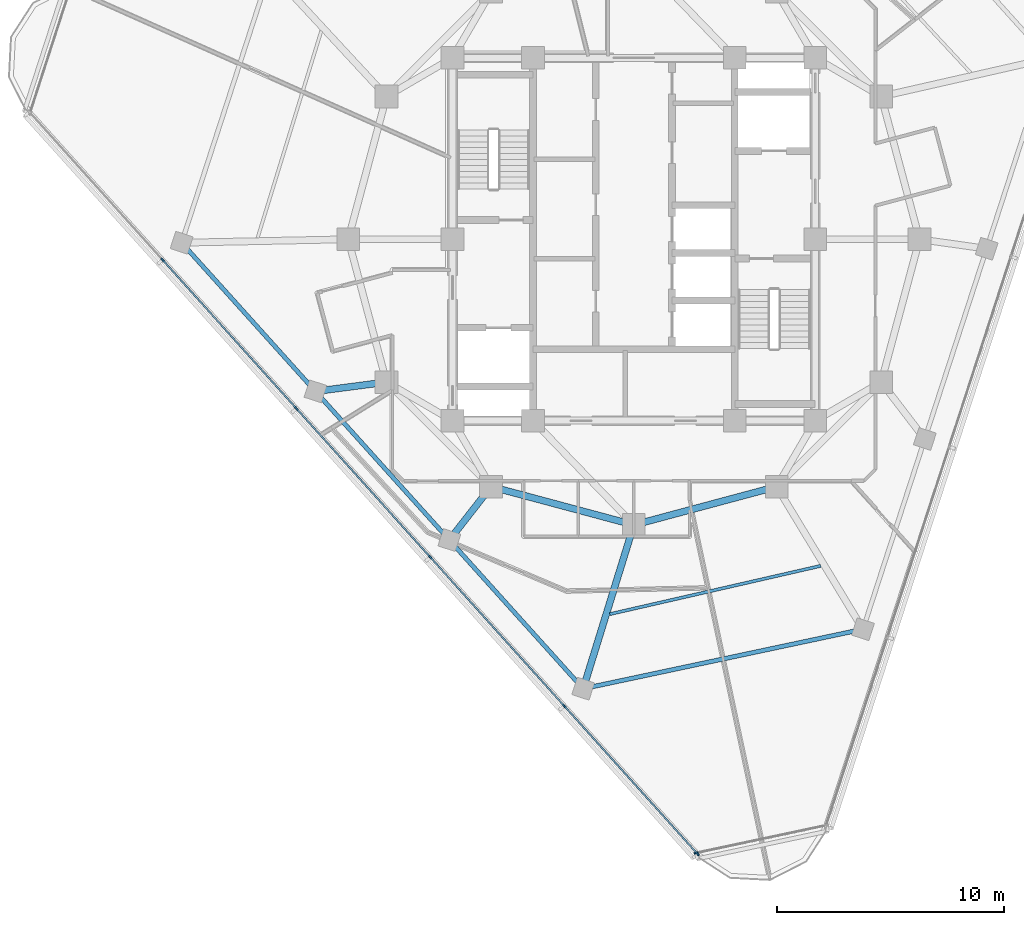
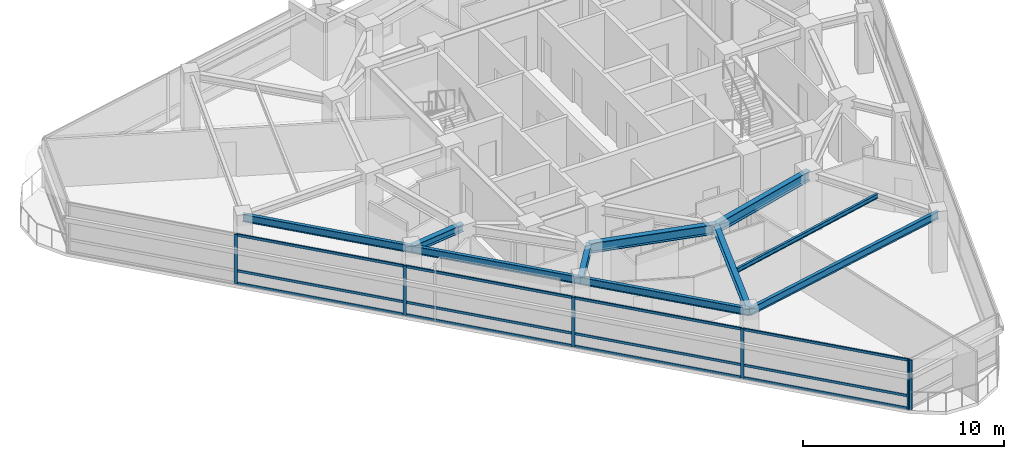
# One storey, part 2 of 15: 18 members, 10 beams, 2 elements without a shape of their own.
"""IFC4 building model written with IfcOpenShell, lengths in metres."""

from ifc_helpers import new_model, si_unit, direction, frame, origin, origin_2d, place, context, subcontext, project, spatial, rectangle, i_section, extrude, material, layer, layer_set, material_profile, profile_set, type_object, element, aggregate, save


model = new_model("IFC4")

# Units and contexts
model_context = context("Model", 3, precision=1e-05, world=origin(), true_north=direction((0.0, 1.0)))
body_context = subcontext(model_context, "Body", "Model", "MODEL_VIEW")
ifc_project = project(units=[si_unit("LENGTHUNIT", "METRE"), si_unit("AREAUNIT", "SQUARE_METRE"), si_unit("VOLUMEUNIT", "CUBIC_METRE"), si_unit("PLANEANGLEUNIT", "RADIAN"), si_unit("MASSUNIT", "GRAM", prefix="KILO")], contexts=[model_context])

# Site, building, storey
site_placement = place(None, origin())
site = spatial("IfcSite", under=ifc_project, at=site_placement, CompositionType="ELEMENT")
building_placement = place(site_placement, origin())
building = spatial("IfcBuilding", under=site, at=building_placement, Name="Terralouvre Media Tower", CompositionType="ELEMENT")
storey_placement = place(building_placement, frame((0.0, 0.0, 290.60009765625)))
storey = spatial("IfcBuildingStorey", under=building, at=storey_placement, Name="L75", CompositionType="ELEMENT", Elevation=290.60009765625)

# Beam
ifc_material_1 = material(Name="Structural steel S355J2", Category="steel")
ifc_material_profile_1 = material_profile(ifc_material_1, i_section(OverallWidth=0.135009765625, OverallDepth=0.27001953125, WebThickness=0.006591796875, FlangeThickness=0.01025390625, at=origin_2d()), Name="IPE 270")
ifc_profile_set_1 = profile_set([ifc_material_profile_1], Name="Structural steel S355J2")
beam_type_1 = type_object("IfcBeamType", Name="Composite Floor Joist J-IPE270 (IPE 270)", PredefinedType="JOIST", material=ifc_profile_set_1)
beam_1_placement = place(storey_placement, frame((-1.062744140625, -16.534912109375, 3.364990234375), z_axis=(0.974794010314, 0.223106784873, 0.0), x_axis=(-0.223106784873, 0.974794010314, 0.0)))
element("IfcBeam", 1, at=beam_1_placement, inside=storey, type_object=beam_type_1, Name="L75 Framing Beam JT-L75-02", PredefinedType="JOIST", context=body_context, shape_type="SweptSolid", body=[
    extrude(i_section(OverallWidth=0.135009765625, OverallDepth=0.27001953125, WebThickness=0.006591796875, FlangeThickness=0.01025390625, at=origin_2d()), origin(), (0.0, 0.0, 1.0), 9.544189453125),
])

# Curtain wall, members
ifc_material_2 = material(Name="Low-iron laminated double glazing with solar-control coating", Category="glass")
ifc_layer_1 = layer(ifc_material_2, 0.1650390625, Name="Faceted Glass-Point Crown Curtain Wall CW-06")
ifc_layer_set_1 = layer_set([ifc_layer_1], Name="Low-iron laminated double glazing with solar-control coating")
curtain_wall_type_1 = type_object("IfcCurtainWallType", Name="Faceted Glass-Point Crown Curtain Wall CW-06", PredefinedType="NOTDEFINED", material=ifc_layer_set_1)
curtain_wall_1_placement = place(storey_placement, origin())
curtain_wall_1 = element("IfcCurtainWall", 2, at=curtain_wall_1_placement, inside=storey, type_object=curtain_wall_type_1, Name="L75 Facade Curtain Wall F2", PredefinedType="NOTDEFINED")
ifc_material_3 = material(Name="Anodised extruded aluminium 6063-T6", Category="aluminium")
ifc_material_profile_2 = material_profile(ifc_material_3, rectangle(XDim=0.074951171875, YDim=0.14990234375, at=origin_2d()), Name="ALU 75x150")
ifc_profile_set_2 = profile_set([ifc_material_profile_2], Name="Anodised extruded aluminium 6063-T6")
member_type_1 = type_object("IfcMemberType", Name="Curtain-Wall Horizontal Transom TR-150", PredefinedType="USERDEFINED", material=ifc_profile_set_2)
member_1_placement = place(storey_placement, frame((-20.763671875, -0.935302734375, 0.037353515625), z_axis=(0.669121968521, -0.74315260293, 0.0), x_axis=(0.74315260293, 0.669121968521, 0.0)))
member_1 = element("IfcMember", 3, at=member_1_placement, type_object=member_type_1, Name="CW-06 transom 2.1", ObjectType="TRANSOM", PredefinedType="USERDEFINED", context=body_context, shape_type="SweptSolid", body=[
    extrude(rectangle(XDim=0.074951171875, YDim=0.14990234375, at=origin_2d()), origin(), (0.0, 0.0, 1.0), 8.749267578125),
])
member_2_placement = place(storey_placement, frame((-20.763671875, -0.935302734375, 0.7998046875), z_axis=(0.669121968521, -0.74315260293, 0.0), x_axis=(0.74315260293, 0.669121968521, 0.0)))
member_2 = element("IfcMember", 4, at=member_2_placement, type_object=member_type_1, Name="CW-06 transom 2.2", ObjectType="TRANSOM", PredefinedType="USERDEFINED", context=body_context, shape_type="SweptSolid", body=[
    extrude(rectangle(XDim=0.074951171875, YDim=0.14990234375, at=origin_2d()), origin(), (0.0, 0.0, 1.0), 8.749267578125),
])
member_3_placement = place(storey_placement, frame((-20.763671875, -0.935302734375, 2.96240234375), z_axis=(0.669121968521, -0.74315260293, 0.0), x_axis=(0.74315260293, 0.669121968521, 0.0)))
member_3 = element("IfcMember", 5, at=member_3_placement, type_object=member_type_1, Name="CW-06 transom 2.3", ObjectType="TRANSOM", PredefinedType="USERDEFINED", context=body_context, shape_type="SweptSolid", body=[
    extrude(rectangle(XDim=0.074951171875, YDim=0.14990234375, at=origin_2d()), origin(), (0.0, 0.0, 1.0), 8.749267578125),
])
member_4_placement = place(storey_placement, frame((-14.859375, -7.492919921875, 0.037353515625), z_axis=(0.669135844476, -0.743140109022, 0.0), x_axis=(0.743140109022, 0.669135844476, 0.0)))
member_4 = element("IfcMember", 6, at=member_4_placement, type_object=member_type_1, Name="CW-06 transom 3.1", ObjectType="TRANSOM", PredefinedType="USERDEFINED", context=body_context, shape_type="SweptSolid", body=[
    extrude(rectangle(XDim=0.074951171875, YDim=0.14990234375, at=origin_2d()), origin(), (0.0, 0.0, 1.0), 8.7490234375),
])
member_5_placement = place(storey_placement, frame((-14.859375, -7.492919921875, 0.7998046875), z_axis=(0.669135844476, -0.743140109022, 0.0), x_axis=(0.743140109022, 0.669135844476, 0.0)))
member_5 = element("IfcMember", 7, at=member_5_placement, type_object=member_type_1, Name="CW-06 transom 3.2", ObjectType="TRANSOM", PredefinedType="USERDEFINED", context=body_context, shape_type="SweptSolid", body=[
    extrude(rectangle(XDim=0.074951171875, YDim=0.14990234375, at=origin_2d()), origin(), (0.0, 0.0, 1.0), 8.7490234375),
])
member_6_placement = place(storey_placement, frame((-14.859375, -7.492919921875, 2.96240234375), z_axis=(0.669135844476, -0.743140109022, 0.0), x_axis=(0.743140109022, 0.669135844476, 0.0)))
member_6 = element("IfcMember", 8, at=member_6_placement, type_object=member_type_1, Name="CW-06 transom 3.3", ObjectType="TRANSOM", PredefinedType="USERDEFINED", context=body_context, shape_type="SweptSolid", body=[
    extrude(rectangle(XDim=0.074951171875, YDim=0.14990234375, at=origin_2d()), origin(), (0.0, 0.0, 1.0), 8.7490234375),
])
member_7_placement = place(storey_placement, frame((-8.954833984375, -14.050537109375, 0.037353515625), z_axis=(0.669135844476, -0.743140109022, 0.0), x_axis=(0.743140109022, 0.669135844476, 0.0)))
member_7 = element("IfcMember", 9, at=member_7_placement, type_object=member_type_1, Name="CW-06 transom 4.1", ObjectType="TRANSOM", PredefinedType="USERDEFINED", context=body_context, shape_type="SweptSolid", body=[
    extrude(rectangle(XDim=0.074951171875, YDim=0.14990234375, at=origin_2d()), origin(), (0.0, 0.0, 1.0), 8.7490234375),
])
member_8_placement = place(storey_placement, frame((-8.954833984375, -14.050537109375, 0.7998046875), z_axis=(0.669135844476, -0.743140109022, 0.0), x_axis=(0.743140109022, 0.669135844476, 0.0)))
member_8 = element("IfcMember", 10, at=member_8_placement, type_object=member_type_1, Name="CW-06 transom 4.2", ObjectType="TRANSOM", PredefinedType="USERDEFINED", context=body_context, shape_type="SweptSolid", body=[
    extrude(rectangle(XDim=0.074951171875, YDim=0.14990234375, at=origin_2d()), origin(), (0.0, 0.0, 1.0), 8.7490234375),
])
member_9_placement = place(storey_placement, frame((-8.954833984375, -14.050537109375, 2.96240234375), z_axis=(0.669135844476, -0.743140109022, 0.0), x_axis=(0.743140109022, 0.669135844476, 0.0)))
member_9 = element("IfcMember", 11, at=member_9_placement, type_object=member_type_1, Name="CW-06 transom 4.3", ObjectType="TRANSOM", PredefinedType="USERDEFINED", context=body_context, shape_type="SweptSolid", body=[
    extrude(rectangle(XDim=0.074951171875, YDim=0.14990234375, at=origin_2d()), origin(), (0.0, 0.0, 1.0), 8.7490234375),
])
member_10_placement = place(storey_placement, frame((-3.050537109375, -20.60791015625, 0.037353515625), z_axis=(0.669130389016, -0.743145021174, 0.0), x_axis=(0.743145021174, 0.669130389016, 0.0)))
member_10 = element("IfcMember", 12, at=member_10_placement, type_object=member_type_1, Name="CW-06 transom 5.1", ObjectType="TRANSOM", PredefinedType="USERDEFINED", context=body_context, shape_type="SweptSolid", body=[
    extrude(rectangle(XDim=0.074951171875, YDim=0.14990234375, at=origin_2d()), origin(), (0.0, 0.0, 1.0), 8.71142578125),
])
member_11_placement = place(storey_placement, frame((-3.050537109375, -20.60791015625, 0.7998046875), z_axis=(0.669130389016, -0.743145021174, 0.0), x_axis=(0.743145021174, 0.669130389016, 0.0)))
member_11 = element("IfcMember", 13, at=member_11_placement, type_object=member_type_1, Name="CW-06 transom 5.2", ObjectType="TRANSOM", PredefinedType="USERDEFINED", context=body_context, shape_type="SweptSolid", body=[
    extrude(rectangle(XDim=0.074951171875, YDim=0.14990234375, at=origin_2d()), origin(), (0.0, 0.0, 1.0), 8.71142578125),
])
member_12_placement = place(storey_placement, frame((-3.050537109375, -20.60791015625, 2.96240234375), z_axis=(0.669130389016, -0.743145021174, 0.0), x_axis=(0.743145021174, 0.669130389016, 0.0)))
member_12 = element("IfcMember", 14, at=member_12_placement, type_object=member_type_1, Name="CW-06 transom 5.3", ObjectType="TRANSOM", PredefinedType="USERDEFINED", context=body_context, shape_type="SweptSolid", body=[
    extrude(rectangle(XDim=0.074951171875, YDim=0.14990234375, at=origin_2d()), origin(), (0.0, 0.0, 1.0), 8.71142578125),
])
ifc_material_4 = material(Name="Anodised extruded aluminium 6063-T6", Category="aluminium")
ifc_material_profile_3 = material_profile(ifc_material_4, rectangle(XDim=0.074951171875, YDim=0.179931640625, at=origin_2d()), Name="ALU 75x180")
ifc_profile_set_3 = profile_set([ifc_material_profile_3], Name="Anodised extruded aluminium 6063-T6")
member_type_2 = type_object("IfcMemberType", Name="Curtain-Wall Vertical Mullion ML-180", PredefinedType="MULLION", material=ifc_profile_set_3)
member_13_placement = place(storey_placement, frame((-20.788818359375, -0.907470703125, 0.0), z_axis=(0.0, 0.0, 1.0), x_axis=(0.743144855036, 0.669130573531, 0.0)))
member_13 = element("IfcMember", 15, at=member_13_placement, type_object=member_type_2, Name="CW-06 mullion 2", PredefinedType="MULLION", context=body_context, shape_type="SweptSolid", body=[
    extrude(rectangle(XDim=0.074951171875, YDim=0.179931640625, at=origin_2d()), origin(), (0.0, 0.0, 1.0), 3.0),
])
member_14_placement = place(storey_placement, frame((-14.88427734375, -7.465087890625, 0.0), z_axis=(0.0, 0.0, 1.0), x_axis=(0.743144855036, 0.669130573531, 0.0)))
member_14 = element("IfcMember", 16, at=member_14_placement, type_object=member_type_2, Name="CW-06 mullion 3", PredefinedType="MULLION", context=body_context, shape_type="SweptSolid", body=[
    extrude(rectangle(XDim=0.074951171875, YDim=0.179931640625, at=origin_2d()), origin(), (0.0, 0.0, 1.0), 3.0),
])
member_15_placement = place(storey_placement, frame((-8.97998046875, -14.0224609375, 0.0), z_axis=(0.0, 0.0, 1.0), x_axis=(0.743144855036, 0.669130573531, 0.0)))
member_15 = element("IfcMember", 17, at=member_15_placement, type_object=member_type_2, Name="CW-06 mullion 4", PredefinedType="MULLION", context=body_context, shape_type="SweptSolid", body=[
    extrude(rectangle(XDim=0.074951171875, YDim=0.179931640625, at=origin_2d()), origin(), (0.0, 0.0, 1.0), 3.0),
])
member_16_placement = place(storey_placement, frame((-3.07568359375, -20.580078125, 0.0), z_axis=(0.0, 0.0, 1.0), x_axis=(0.743144855036, 0.669130573531, 0.0)))
member_16 = element("IfcMember", 18, at=member_16_placement, type_object=member_type_2, Name="CW-06 mullion 5", PredefinedType="MULLION", context=body_context, shape_type="SweptSolid", body=[
    extrude(rectangle(XDim=0.074951171875, YDim=0.179931640625, at=origin_2d()), origin(), (0.0, 0.0, 1.0), 3.0),
])
member_17_placement = place(storey_placement, frame((2.8037109375, -27.109619140625, 0.0), z_axis=(0.0, 0.0, 1.0), x_axis=(0.743144855036, 0.669130573531, 0.0)))
member_17 = element("IfcMember", 19, at=member_17_placement, type_object=member_type_2, Name="CW-06 mullion 6", PredefinedType="MULLION", context=body_context, shape_type="SweptSolid", body=[
    extrude(rectangle(XDim=0.074951171875, YDim=0.179931640625, at=origin_2d()), origin(), (0.0, 0.0, 1.0), 3.0),
])
aggregate(curtain_wall_1, [member_13, member_14, member_15, member_16, member_17, member_1, member_2, member_3, member_4, member_5, member_6, member_7, member_8, member_9, member_10, member_11, member_12])

# Curtain wall, member
ifc_material_5 = material(Name="Low-iron laminated double glazing with solar-control coating", Category="glass")
ifc_layer_2 = layer(ifc_material_5, 0.1650390625, Name="Rounded Wind-Corner Curved Glazing CW-04")
ifc_layer_set_2 = layer_set([ifc_layer_2], Name="Low-iron laminated double glazing with solar-control coating")
curtain_wall_type_2 = type_object("IfcCurtainWallType", Name="Rounded Wind-Corner Curved Glazing CW-04", PredefinedType="NOTDEFINED", material=ifc_layer_set_2)
curtain_wall_2_placement = place(storey_placement, origin())
curtain_wall_2 = element("IfcCurtainWall", 20, at=curtain_wall_2_placement, inside=storey, type_object=curtain_wall_type_2, Name="L75 Rounded Wind-Corner Curtain Wall C0", PredefinedType="NOTDEFINED")
member_18_placement = place(storey_placement, frame((2.747314453125, -27.0732421875, 0.0), z_axis=(0.0, 0.0, 1.0), x_axis=(-0.207911647592, 0.978147609922, 0.0)))
member_18 = element("IfcMember", 21, at=member_18_placement, type_object=member_type_2, Name="CW-04 mullion 1", PredefinedType="MULLION", context=body_context, shape_type="SweptSolid", body=[
    extrude(rectangle(XDim=0.074951171875, YDim=0.179931640625, at=origin_2d()), origin(), (0.0, 0.0, 1.0), 3.0),
])
aggregate(curtain_wall_2, [member_18])

# Beams
ifc_material_6 = material(Name="Structural steel S355J2", Category="steel")
ifc_material_profile_4 = material_profile(ifc_material_6, i_section(OverallWidth=0.18994140625, OverallDepth=0.449951171875, WebThickness=0.009521484375, FlangeThickness=0.0146484375, at=origin_2d()), Name="IPE 450")
ifc_profile_set_4 = profile_set([ifc_material_profile_4], Name="Structural steel S355J2")
beam_type_2 = type_object("IfcBeamType", Name="Perimeter Spandrel Beam SPB-450 (IPE 450)", PredefinedType="SPANDREL", material=ifc_profile_set_4)
for number, where, z_axis, x_axis, name in (
    (22, (-19.948974609375, -0.1513671875, 3.27490234375), (0.669117578136, -0.743156555935, 0.0), (0.743156555935, 0.669117578136, 0.0), "L75 Framing Beam BM-L75-PR01"),
    (23, (-14.044677734375, -6.708984375, 3.27490234375), (0.669146616148, -0.743130409887, 0.0), (0.743130409887, 0.669146616148, 0.0), "L75 Framing Beam BM-L75-PR02"),
    (24, (-8.14013671875, -13.266357421875, 3.27490234375), (0.669117578136, -0.743156555935, 0.0), (0.743156555935, 0.669117578136, 0.0), "L75 Framing Beam BM-L75-PR03"),
):
    element("IfcBeam", number, at=place(storey_placement, frame(where, z_axis=z_axis, x_axis=x_axis)), inside=storey, type_object=beam_type_2, Name=name, PredefinedType="SPANDREL", context=body_context, shape_type="SweptSolid", body=[
        extrude(i_section(OverallWidth=0.18994140625, OverallDepth=0.449951171875, WebThickness=0.009521484375, FlangeThickness=0.0146484375, at=origin_2d()), origin(), (0.0, 0.0, 1.0), 8.823974609375),
    ])
beam_2_placement = place(storey_placement, frame((-2.23583984375, -19.823974609375, 3.27490234375), z_axis=(0.978147391184, 0.207912676669, 0.0), x_axis=(-0.207912676669, 0.978147391184, 0.0)))
element("IfcBeam", 25, at=beam_2_placement, inside=storey, type_object=beam_type_2, Name="L75 Framing Beam BM-L75-PR04", PredefinedType="SPANDREL", context=body_context, shape_type="SweptSolid", body=[
    extrude(i_section(OverallWidth=0.18994140625, OverallDepth=0.449951171875, WebThickness=0.009521484375, FlangeThickness=0.0146484375, at=origin_2d()), origin(), (0.0, 0.0, 1.0), 12.6171875),
])
ifc_material_7 = material(Name="Structural steel S355J2", Category="steel")
ifc_material_profile_5 = material_profile(ifc_material_7, i_section(OverallWidth=0.300048828125, OverallDepth=0.449951171875, WebThickness=0.013916015625, FlangeThickness=0.02587890625, at=origin_2d()), Name="HEB 450")
ifc_profile_set_5 = profile_set([ifc_material_profile_5], Name="Structural steel S355J2")
beam_type_3 = type_object("IfcBeamType", Name="Primary Floor Girder B-HEB450 (HEB 450)", PredefinedType="BEAM", material=ifc_profile_set_5)
beam_3_placement = place(storey_placement, frame((-10.911865234375, -6.300048828125, 3.27490234375), z_axis=(-0.991587910477, -0.129434986756, 0.0), x_axis=(0.129434986756, -0.991587910477, 0.0)))
element("IfcBeam", 26, at=beam_3_placement, inside=storey, type_object=beam_type_3, Name="L75 Framing Beam BM-L75-RD02", PredefinedType="BEAM", context=body_context, shape_type="SweptSolid", body=[
    extrude(i_section(OverallWidth=0.300048828125, OverallDepth=0.449951171875, WebThickness=0.013916015625, FlangeThickness=0.02587890625, at=origin_2d()), origin(), (0.0, 0.0, 1.0), 3.159423828125),
])
beam_4_placement = place(storey_placement, frame((-6.300048828125, -10.911865234375, 3.27490234375), z_axis=(-0.615777211554, -0.787920316867, 0.0), x_axis=(0.787920316867, -0.615777211554, 0.0)))
element("IfcBeam", 27, at=beam_4_placement, inside=storey, type_object=beam_type_3, Name="L75 Framing Beam BM-L75-RD03", PredefinedType="BEAM", context=body_context, shape_type="SweptSolid", body=[
    extrude(i_section(OverallWidth=0.300048828125, OverallDepth=0.449951171875, WebThickness=0.013916015625, FlangeThickness=0.02587890625, at=origin_2d()), origin(), (0.0, 0.0, 1.0), 2.98828125),
])
beam_5_placement = place(storey_placement, frame((0.0, -12.60009765625, 3.27490234375), z_axis=(-0.295668996709, -0.955290450274, 0.0), x_axis=(0.955290450274, -0.295668996709, 0.0)))
element("IfcBeam", 28, at=beam_5_placement, inside=storey, type_object=beam_type_3, Name="L75 Framing Beam BM-L75-RD04", PredefinedType="BEAM", context=body_context, shape_type="SweptSolid", body=[
    extrude(i_section(OverallWidth=0.300048828125, OverallDepth=0.449951171875, WebThickness=0.013916015625, FlangeThickness=0.02587890625, at=origin_2d()), origin(), (0.0, 0.0, 1.0), 7.56201171875),
])
ifc_material_8 = material(Name="Structural steel S460M", Category="steel")
ifc_material_profile_6 = material_profile(ifc_material_8, i_section(OverallWidth=0.300048828125, OverallDepth=0.60009765625, WebThickness=0.015380859375, FlangeThickness=0.030029296875, at=origin_2d()), Name="HEB 600")
ifc_profile_set_6 = profile_set([ifc_material_profile_6], Name="Structural steel S460M")
beam_type_4 = type_object("IfcBeamType", Name="Primary Floor Girder B-HEB600 (HEB 600)", PredefinedType="BEAM", material=ifc_profile_set_6)
for number, where, z_axis, x_axis, name in (
    (29, (-6.300048828125, -10.911865234375, 3.199951171875), (0.965920481897, -0.258838989821, 0.0), (0.258838989821, 0.965920481897, 0.0), "L75 Framing Beam BM-L75-MR02"),
    (30, (0.0, -12.60009765625, 3.199951171875), (0.965920481897, 0.258838989821, 0.0), (-0.258838989821, 0.965920481897, 0.0), "L75 Framing Beam BM-L75-MR03"),
):
    element("IfcBeam", number, at=place(storey_placement, frame(where, z_axis=z_axis, x_axis=x_axis)), inside=storey, type_object=beam_type_4, Name=name, PredefinedType="BEAM", context=body_context, shape_type="SweptSolid", body=[
        extrude(i_section(OverallWidth=0.300048828125, OverallDepth=0.60009765625, WebThickness=0.015380859375, FlangeThickness=0.030029296875, at=origin_2d()), origin(), (0.0, 0.0, 1.0), 6.522216796875),
    ])

save(model, "model.ifc")
